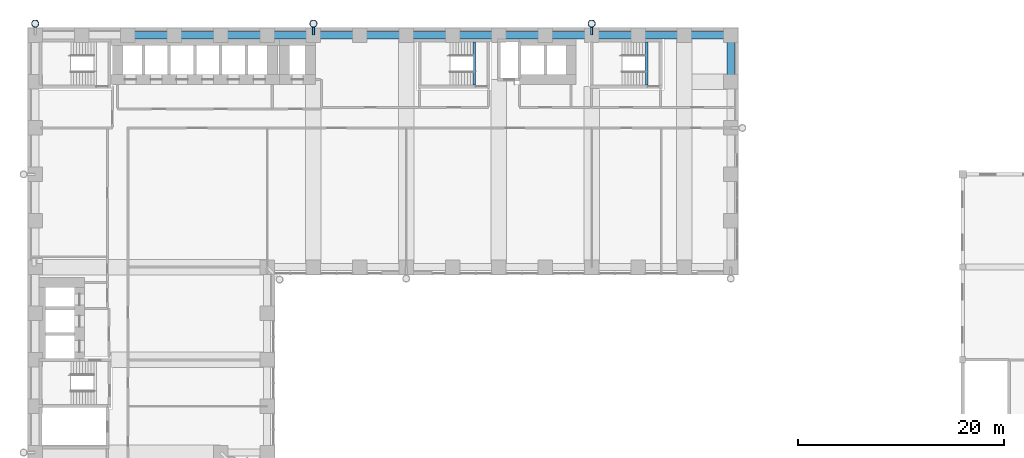
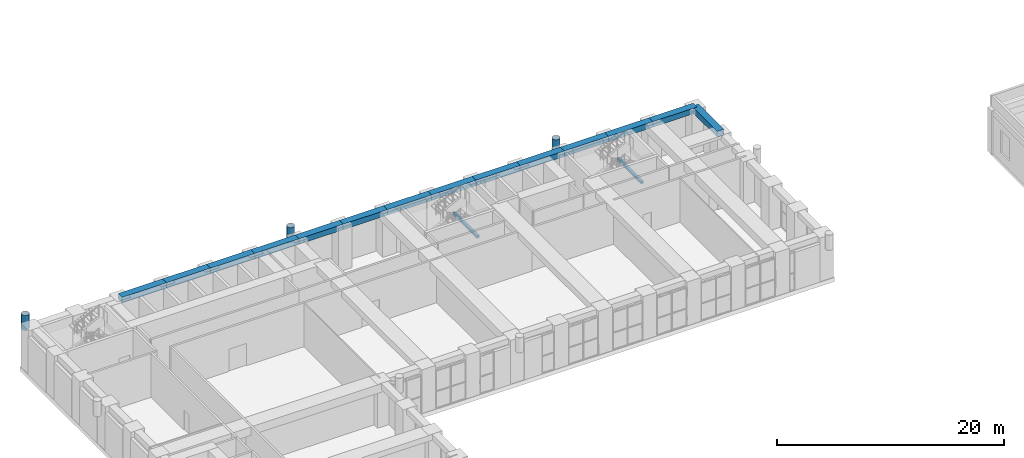
# One storey, part 11 of 35: 16 beams, 5 members.
"""IFC4 building model written with IfcOpenShell, lengths in metres."""

from ifc_helpers import new_model, si_unit, direction, frame, origin, origin_2d, place, context, subcontext, project, spatial, rectangle, hollow_circle, extrude, material, material_profile, profile_set, type_object, element, save


model = new_model("IFC4")

# Units and contexts
model_context = context("Model", 3, precision=1e-05, world=origin(), true_north=direction((0.0, 1.0)))
body_context = subcontext(model_context, "Body", "Model", "MODEL_VIEW")
ifc_project = project(units=[si_unit("LENGTHUNIT", "METRE"), si_unit("AREAUNIT", "SQUARE_METRE"), si_unit("VOLUMEUNIT", "CUBIC_METRE"), si_unit("PLANEANGLEUNIT", "RADIAN"), si_unit("MASSUNIT", "GRAM", prefix="KILO")], contexts=[model_context])

# Site, building, storey
site_placement = place(None, origin())
site = spatial("IfcSite", under=ifc_project, at=site_placement, CompositionType="ELEMENT")
building_placement = place(site_placement, origin())
building = spatial("IfcBuilding", under=site, at=building_placement, Name="Firuza Court", CompositionType="ELEMENT")
storey_placement = place(building_placement, frame((0.0, 0.0, 24.0)))
storey = spatial("IfcBuildingStorey", under=building, at=storey_placement, Name="L04", CompositionType="ELEMENT", Elevation=24.0)

# Members
ifc_material_1 = material(Name="Steel S355", Category="steel")
ifc_material_profile_1 = material_profile(ifc_material_1, hollow_circle(Radius=0.35546875, WallThickness=0.030029296875, at=origin_2d()), Name="CHS 711x30")
ifc_profile_set_1 = profile_set([ifc_material_profile_1], Name="Steel S355")
member_type_1 = type_object("IfcMemberType", Name="Diagrid node CHS 711x30 S355", PredefinedType="USERDEFINED", material=ifc_profile_set_1)
for number, where, z_axis, x_axis, name in (
    (1, (0.0, 59.6201171875, 3.64990234375), (0.0, 0.0, 1.0), (1.0, 0.0, 0.0), "Diagrid node level L04"),
    (2, (27.0, 59.6201171875, 3.64990234375), (0.0, 0.0, 1.0), (1.0, 0.0, 0.0), "Diagrid node level L04"),
    (3, (54.0, 59.6201171875, 3.64990234375), (0.0, 0.0, 1.0), (1.0, 0.0, 0.0), "Diagrid node level L04"),
):
    element("IfcMember", number, at=place(storey_placement, frame(where, z_axis=z_axis, x_axis=x_axis)), inside=storey, type_object=member_type_1, Name=name, ObjectType="DIAGRID NODE", PredefinedType="USERDEFINED", context=body_context, shape_type="SweptSolid", body=[
        extrude(hollow_circle(Radius=0.35546875, WallThickness=0.030029296875, at=origin_2d()), origin(), (0.0, 0.0, 1.0), 1.60009765625),
    ])
ifc_material_2 = material(Name="Steel S355", Category="steel")
ifc_material_profile_2 = material_profile(ifc_material_2, hollow_circle(Radius=0.136474609375, WallThickness=0.012451171875, at=origin_2d()), Name="CHS 273x12.5")
ifc_profile_set_2 = profile_set([ifc_material_profile_2], Name="Steel S355")
member_type_2 = type_object("IfcMemberType", Name="Diagrid tie CHS 273x12.5 S355", PredefinedType="STRUT", material=ifc_profile_set_2)
for number, where, z_axis, x_axis, name in (
    (4, (27.0, 58.5, 4.449951171875), (0.0, 1.0, 0.0), (-1.0, 0.0, 0.0), "Diagrid tie level L05"),
    (5, (54.0, 58.5, 4.449951171875), (0.0, 1.0, 0.0), (-1.0, 0.0, 0.0), "Diagrid tie level L05"),
):
    element("IfcMember", number, at=place(storey_placement, frame(where, z_axis=z_axis, x_axis=x_axis)), inside=storey, type_object=member_type_2, Name=name, PredefinedType="STRUT", context=body_context, shape_type="SweptSolid", body=[
        extrude(hollow_circle(Radius=0.136474609375, WallThickness=0.012451171875, at=origin_2d()), origin(), (0.0, 0.0, 1.0), 1.1201171875),
    ])

# Beams
ifc_material_3 = material(Name="Concrete C40/50", Category="concrete")
ifc_material_profile_3 = material_profile(ifc_material_3, rectangle(XDim=0.25, YDim=0.25, at=origin_2d()), Name="RC 250x250")
ifc_profile_set_3 = profile_set([ifc_material_profile_3], Name="Concrete C40/50")
beam_type_1 = type_object("IfcBeamType", Name="Landing beam RC 250x250 C40/50", PredefinedType="BEAM", material=ifc_profile_set_3)
for number, where, z_axis, x_axis, name in (
    (6, (42.625, 53.64990234375, 2.175048828125), (0.0, 1.0, 0.0), (-1.0, 0.0, 0.0), "Landing beam S1 L04"),
    (7, (59.324951171875, 53.64990234375, 2.175048828125), (0.0, 1.0, 0.0), (-1.0, 0.0, 0.0), "Landing beam S4 L04"),
):
    element("IfcBeam", number, at=place(storey_placement, frame(where, z_axis=z_axis, x_axis=x_axis)), inside=storey, type_object=beam_type_1, Name=name, PredefinedType="BEAM", context=body_context, shape_type="SweptSolid", body=[
        extrude(rectangle(XDim=0.25, YDim=0.25, at=origin_2d()), origin(), (0.0, 0.0, 1.0), 4.2001953125),
    ])
ifc_material_4 = material(Name="Concrete C40/50", Category="concrete")
ifc_material_profile_4 = material_profile(ifc_material_4, rectangle(XDim=0.699951171875, YDim=0.60009765625, at=origin_2d()), Name="RC 700x600")
ifc_profile_set_4 = profile_set([ifc_material_profile_4], Name="Concrete C40/50")
beam_type_2 = type_object("IfcBeamType", Name="Spandrel beam RC 700x600 C40/50", PredefinedType="BEAM", material=ifc_profile_set_4)
for number, where, z_axis, x_axis, name in (
    (8, (13.5, 58.5, 4.39990234375), (-1.0, 0.0, 0.0), (0.0, -1.0, 0.0), "Spandrel beam SP10 level L05"),
    (9, (18.0, 58.5, 4.39990234375), (-1.0, 0.0, 0.0), (0.0, -1.0, 0.0), "Spandrel beam SP10 level L05"),
    (10, (22.5, 58.5, 4.39990234375), (-1.0, 0.0, 0.0), (0.0, -1.0, 0.0), "Spandrel beam SP10 level L05"),
    (11, (27.0, 58.5, 4.39990234375), (-1.0, 0.0, 0.0), (0.0, -1.0, 0.0), "Spandrel beam SP10 level L05"),
    (12, (31.5, 58.5, 4.39990234375), (-1.0, 0.0, 0.0), (0.0, -1.0, 0.0), "Spandrel beam SP10 level L05"),
    (13, (36.0, 58.5, 4.39990234375), (-1.0, 0.0, 0.0), (0.0, -1.0, 0.0), "Spandrel beam SP10 level L05"),
    (14, (40.5, 58.5, 4.39990234375), (-1.0, 0.0, 0.0), (0.0, -1.0, 0.0), "Spandrel beam SP10 level L05"),
    (15, (45.0, 58.5, 4.39990234375), (-1.0, 0.0, 0.0), (0.0, -1.0, 0.0), "Spandrel beam SP10 level L05"),
    (16, (49.5, 58.5, 4.39990234375), (-1.0, 0.0, 0.0), (0.0, -1.0, 0.0), "Spandrel beam SP10 level L05"),
    (17, (54.0, 58.5, 4.39990234375), (-1.0, 0.0, 0.0), (0.0, -1.0, 0.0), "Spandrel beam SP10 level L05"),
    (18, (58.5, 58.5, 4.39990234375), (-1.0, 0.0, 0.0), (0.0, -1.0, 0.0), "Spandrel beam SP10 level L05"),
    (19, (63.0, 58.5, 4.39990234375), (-1.0, 0.0, 0.0), (0.0, -1.0, 0.0), "Spandrel beam SP10 level L05"),
    (20, (67.5, 54.0, 4.39990234375), (0.0, 1.0, 0.0), (-1.0, 0.0, 0.0), "Spandrel beam SP10 level L05"),
    (21, (67.5, 58.5, 4.39990234375), (-1.0, 0.0, 0.0), (0.0, -1.0, 0.0), "Spandrel beam SP10 level L05"),
):
    element("IfcBeam", number, at=place(storey_placement, frame(where, z_axis=z_axis, x_axis=x_axis)), inside=storey, type_object=beam_type_2, Name=name, PredefinedType="BEAM", context=body_context, shape_type="SweptSolid", body=[
        extrude(rectangle(XDim=0.699951171875, YDim=0.60009765625, at=origin_2d()), origin(), (0.0, 0.0, 1.0), 4.5),
    ])

save(model, "model.ifc")
